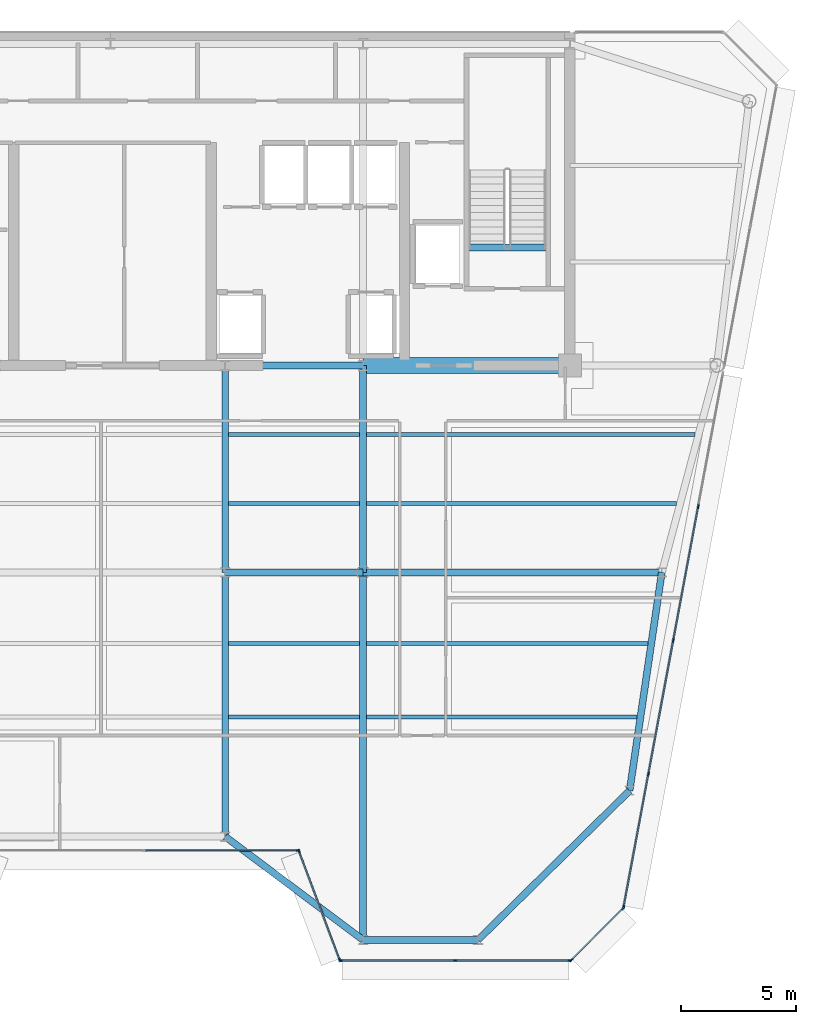
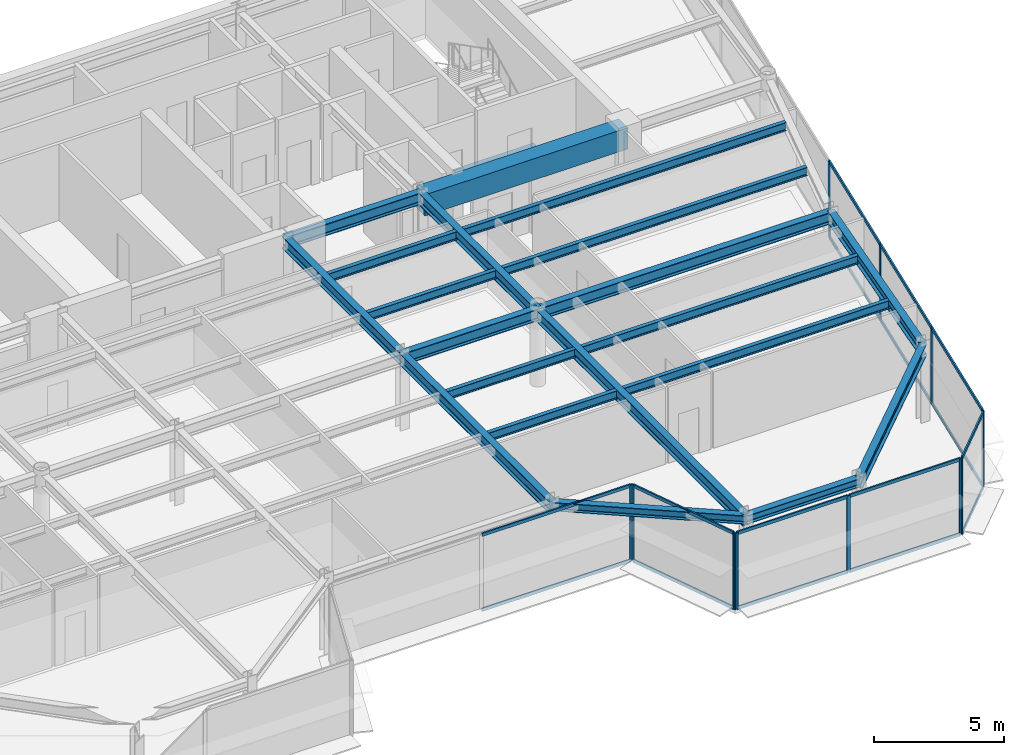
# One storey, part 5 of 19: 28 members, 21 beams, 5 elements without a shape of their own.
"""IFC4 building model written with IfcOpenShell, lengths in metres."""

from ifc_helpers import new_model, si_unit, direction, frame, origin, origin_2d, place, context, subcontext, project, spatial, rectangle, i_section, extrude, source, transform, mapped, material, layer, layer_set, material_profile, profile_set, type_object, element, aggregate, save


model = new_model("IFC4")

# Units and contexts
model_context = context("Model", 3, precision=1e-05, world=origin(), true_north=direction((0.0, 1.0)))
body_context = subcontext(model_context, "Body", "Model", "MODEL_VIEW")
ifc_project = project(units=[si_unit("LENGTHUNIT", "METRE"), si_unit("AREAUNIT", "SQUARE_METRE"), si_unit("VOLUMEUNIT", "CUBIC_METRE"), si_unit("PLANEANGLEUNIT", "RADIAN"), si_unit("MASSUNIT", "GRAM", prefix="KILO")], contexts=[model_context])

# Site, building, storey
site_placement = place(None, origin())
site = spatial("IfcSite", under=ifc_project, at=site_placement, CompositionType="ELEMENT")
building_placement = place(site_placement, origin())
building = spatial("IfcBuilding", under=site, at=building_placement, Name="Vaeldorn Concourse Tower", CompositionType="ELEMENT")
storey_placement = place(building_placement, frame((0.0, 0.0, 249.800048828125)))
storey = spatial("IfcBuildingStorey", under=building, at=storey_placement, Name="L64", CompositionType="ELEMENT", Elevation=249.800048828125)

# Beams
ifc_material_1 = material(Name="Concrete C50/60", Category="concrete")
ifc_material_profile_1 = material_profile(ifc_material_1, rectangle(XDim=0.699951171875, YDim=1.0, at=origin_2d()), Name="RC 700x1000")
ifc_profile_set_1 = profile_set([ifc_material_profile_1], Name="Concrete C50/60")
beam_type_1 = type_object("IfcBeamType", Name="BM-CB-RC700", PredefinedType="BEAM", material=ifc_profile_set_1)
shared_shape_1 = source(origin(), body_context, "Body", "SweptSolid", [
    extrude(rectangle(XDim=0.699951171875, YDim=1.0, at=origin_2d()), origin(), (0.0, 0.0, 1.0), 9.0),
])
beam_1_placement = place(storey_placement, frame((45.0, 36.5, 3.079833984375), z_axis=(1.0, 0.0, 0.0), x_axis=(0.0, 1.0, 0.0)))
element("IfcBeam", 1, at=beam_1_placement, inside=storey, type_object=beam_type_1, Name="Core Coupling Beam L64-2", PredefinedType="BEAM", context=body_context, shape_type="MappedRepresentation", body=[
    mapped(shared_shape_1, transform((0.0, 0.0, 0.0), scale=1.0)),
])
ifc_material_2 = material(Name="Steel S355", Category="steel")
ifc_material_profile_2 = material_profile(ifc_material_2, i_section(OverallWidth=0.300048828125, OverallDepth=0.340087890625, WebThickness=0.011962890625, FlangeThickness=0.021484375, FilletRadius=0.027099609375, at=origin_2d()), Name="HEB 340")
ifc_profile_set_2 = profile_set([ifc_material_profile_2], Name="Steel S355")
beam_type_2 = type_object("IfcBeamType", Name="BM-ST-TRIM", PredefinedType="BEAM", material=ifc_profile_set_2)
shared_shape_2 = source(origin(), body_context, "Body", "SweptSolid", [
    extrude(i_section(OverallWidth=0.300048828125, OverallDepth=0.340087890625, WebThickness=0.011962890625, FlangeThickness=0.021484375, FilletRadius=0.027099609375, at=origin_2d()), origin(), (0.0, 0.0, 1.0), 3.590087890625),
])
beam_2_placement = place(storey_placement, frame((49.47998046875, 41.639892578125, -0.39013671875), z_axis=(1.0, 0.0, 0.0), x_axis=(0.0, 1.0, 0.0)))
element("IfcBeam", 2, at=beam_2_placement, inside=storey, type_object=beam_type_2, Name="Stair Landing Trimmer Beam ST-2 L64", PredefinedType="BEAM", context=body_context, shape_type="MappedRepresentation", body=[
    mapped(shared_shape_2, transform((0.0, 0.0, 0.0), scale=1.0)),
])
ifc_material_profile_3 = material_profile(ifc_material_2, i_section(OverallWidth=0.300048828125, OverallDepth=0.39990234375, WebThickness=0.013427734375, FlangeThickness=0.02392578125, FilletRadius=0.027099609375, at=origin_2d()), Name="HEB 400")
ifc_profile_set_3 = profile_set([ifc_material_profile_3], Name="Steel S355")
beam_type_3 = type_object("IfcBeamType", Name="BM-SP-HEB400", PredefinedType="SPANDREL", material=ifc_profile_set_3)
shared_shape_3 = source(origin(), body_context, "Body", "SweptSolid", [
    extrude(i_section(OverallWidth=0.300048828125, OverallDepth=0.39990234375, WebThickness=0.013427734375, FlangeThickness=0.02392578125, FilletRadius=0.027099609375, at=origin_2d()), origin(), (0.0, 0.0, 1.0), 5.0),
])
beam_3_placement = place(storey_placement, frame((45.0, 11.5, 3.3798828125), z_axis=(1.0, 0.0, 0.0), x_axis=(0.0, 1.0, 0.0)))
element("IfcBeam", 3, at=beam_3_placement, inside=storey, type_object=beam_type_3, Name="Beam BM-L64-C-SF5-C-SF6", PredefinedType="SPANDREL", context=body_context, shape_type="MappedRepresentation", body=[
    mapped(shared_shape_3, transform((0.0, 0.0, 0.0), scale=1.0)),
])
shared_shape_4 = source(origin(), body_context, "Body", "SweptSolid", [
    extrude(i_section(OverallWidth=0.300048828125, OverallDepth=0.39990234375, WebThickness=0.013427734375, FlangeThickness=0.02392578125, FilletRadius=0.027099609375, at=origin_2d()), origin(), (0.0, 0.0, 1.0), 7.5),
])
beam_4_placement = place(storey_placement, frame((39.0, 16.0, 3.3798828125), z_axis=(0.8, -0.6, 0.0), x_axis=(0.6, 0.8, 0.0)))
element("IfcBeam", 4, at=beam_4_placement, inside=storey, type_object=beam_type_3, Name="Beam BM-L64-C-SF4-C-SF5", PredefinedType="SPANDREL", context=body_context, shape_type="MappedRepresentation", body=[
    mapped(shared_shape_4, transform((0.0, 0.0, 0.0), scale=1.0)),
])
ifc_material_profile_4 = material_profile(ifc_material_2, i_section(OverallWidth=0.179931640625, OverallDepth=0.39990234375, WebThickness=0.008544921875, FlangeThickness=0.013427734375, FilletRadius=0.02099609375, at=origin_2d()), Name="IPE 400")
ifc_profile_set_4 = profile_set([ifc_material_profile_4], Name="Steel S355")
beam_type_4 = type_object("IfcBeamType", Name="BM-JS-IPE400", PredefinedType="JOIST", material=ifc_profile_set_4)
shared_shape_5 = source(origin(), body_context, "Body", "SweptSolid", [
    extrude(i_section(OverallWidth=0.179931640625, OverallDepth=0.39990234375, WebThickness=0.008544921875, FlangeThickness=0.013427734375, FilletRadius=0.02099609375, at=origin_2d()), origin(), (0.0, 0.0, 1.0), 5.7001953125),
])
for number, where, z_axis, x_axis, name in (
    (5, (39.14990234375, 21.199951171875, 3.3798828125), (1.0, 0.0, 0.0), (0.0, 1.0, 0.0), "Beam JS-L64-E2-212"),
    (6, (39.14990234375, 24.39990234375, 3.3798828125), (1.0, 0.0, 0.0), (0.0, 1.0, 0.0), "Beam JS-L64-E2-244"),
    (7, (39.14990234375, 30.5, 3.3798828125), (1.0, 0.0, 0.0), (0.0, 1.0, 0.0), "Beam JS-L64-E2-305"),
    (8, (39.14990234375, 33.5, 3.3798828125), (1.0, 0.0, 0.0), (0.0, 1.0, 0.0), "Beam JS-L64-E2-335"),
):
    element("IfcBeam", number, at=place(storey_placement, frame(where, z_axis=z_axis, x_axis=x_axis)), inside=storey, type_object=beam_type_4, Name=name, PredefinedType="JOIST", context=body_context, shape_type="MappedRepresentation", body=[
        mapped(shared_shape_5, transform((0.0, 0.0, 0.0), scale=1.0)),
    ])
shared_shape_6 = source(origin(), body_context, "Body", "SweptSolid", [
    extrude(i_section(OverallWidth=0.179931640625, OverallDepth=0.39990234375, WebThickness=0.008544921875, FlangeThickness=0.013427734375, FilletRadius=0.02099609375, at=origin_2d()), origin(), (0.0, 0.0, 1.0), 11.771728515625),
])
beam_5_placement = place(storey_placement, frame((45.14990234375, 21.199951171875, 3.3798828125), z_axis=(1.0, 0.0, 0.0), x_axis=(0.0, 1.0, 0.0)))
element("IfcBeam", 9, at=beam_5_placement, inside=storey, type_object=beam_type_4, Name="Beam JS-L64-E1-212", PredefinedType="JOIST", context=body_context, shape_type="MappedRepresentation", body=[
    mapped(shared_shape_6, transform((0.0, 0.0, 0.0), scale=1.0)),
])
shared_shape_7 = source(origin(), body_context, "Body", "SweptSolid", [
    extrude(i_section(OverallWidth=0.179931640625, OverallDepth=0.39990234375, WebThickness=0.008544921875, FlangeThickness=0.013427734375, FilletRadius=0.02099609375, at=origin_2d()), origin(), (0.0, 0.0, 1.0), 12.243408203125),
])
beam_6_placement = place(storey_placement, frame((45.14990234375, 24.39990234375, 3.3798828125), z_axis=(1.0, 0.0, 0.0), x_axis=(0.0, 1.0, 0.0)))
element("IfcBeam", 10, at=beam_6_placement, inside=storey, type_object=beam_type_4, Name="Beam JS-L64-E1-244", PredefinedType="JOIST", context=body_context, shape_type="MappedRepresentation", body=[
    mapped(shared_shape_7, transform((0.0, 0.0, 0.0), scale=1.0)),
])
shared_shape_8 = source(origin(), body_context, "Body", "SweptSolid", [
    extrude(i_section(OverallWidth=0.179931640625, OverallDepth=0.39990234375, WebThickness=0.008544921875, FlangeThickness=0.013427734375, FilletRadius=0.02099609375, at=origin_2d()), origin(), (0.0, 0.0, 1.0), 13.5),
])
beam_7_placement = place(storey_placement, frame((45.14990234375, 30.5, 3.3798828125), z_axis=(1.0, 0.0, 0.0), x_axis=(0.0, 1.0, 0.0)))
element("IfcBeam", 11, at=beam_7_placement, inside=storey, type_object=beam_type_4, Name="Beam JS-L64-E1-305", PredefinedType="JOIST", context=body_context, shape_type="MappedRepresentation", body=[
    mapped(shared_shape_8, transform((0.0, 0.0, 0.0), scale=1.0)),
])
shared_shape_9 = source(origin(), body_context, "Body", "SweptSolid", [
    extrude(i_section(OverallWidth=0.179931640625, OverallDepth=0.39990234375, WebThickness=0.008544921875, FlangeThickness=0.013427734375, FilletRadius=0.02099609375, at=origin_2d()), origin(), (0.0, 0.0, 1.0), 14.300048828125),
])
beam_8_placement = place(storey_placement, frame((45.14990234375, 33.5, 3.3798828125), z_axis=(1.0, 0.0, 0.0), x_axis=(0.0, 1.0, 0.0)))
element("IfcBeam", 12, at=beam_8_placement, inside=storey, type_object=beam_type_4, Name="Beam JS-L64-E1-335", PredefinedType="JOIST", context=body_context, shape_type="MappedRepresentation", body=[
    mapped(shared_shape_9, transform((0.0, 0.0, 0.0), scale=1.0)),
])
ifc_material_profile_5 = material_profile(ifc_material_2, i_section(OverallWidth=0.300048828125, OverallDepth=0.550048828125, WebThickness=0.014892578125, FlangeThickness=0.029052734375, FilletRadius=0.027099609375, at=origin_2d()), Name="HEB 550")
ifc_profile_set_5 = profile_set([ifc_material_profile_5], Name="Steel S355")
beam_type_5 = type_object("IfcBeamType", Name="BM-PG-HEB550", PredefinedType="BEAM", material=ifc_profile_set_5)
shared_shape_10 = source(origin(), body_context, "Body", "SweptSolid", [
    extrude(i_section(OverallWidth=0.300048828125, OverallDepth=0.550048828125, WebThickness=0.014892578125, FlangeThickness=0.029052734375, FilletRadius=0.027099609375, at=origin_2d()), origin(), (0.0, 0.0, 1.0), 6.0),
])
for number, where, z_axis, x_axis, name in (
    (13, (39.0, 36.5, 3.304931640625), (1.0, 0.0, 0.0), (0.0, 1.0, 0.0), "Beam BM-L64-C-FC4-C-FC5"),
    (14, (39.0, 27.5, 3.304931640625), (1.0, 0.0, 0.0), (0.0, 1.0, 0.0), "Beam BM-L64-C-TW3-C-TW4"),
):
    element("IfcBeam", number, at=place(storey_placement, frame(where, z_axis=z_axis, x_axis=x_axis)), inside=storey, type_object=beam_type_5, Name=name, PredefinedType="BEAM", context=body_context, shape_type="MappedRepresentation", body=[
        mapped(shared_shape_10, transform((0.0, 0.0, 0.0), scale=1.0)),
    ])
shared_shape_11 = source(origin(), body_context, "Body", "SweptSolid", [
    extrude(i_section(OverallWidth=0.300048828125, OverallDepth=0.550048828125, WebThickness=0.014892578125, FlangeThickness=0.029052734375, FilletRadius=0.027099609375, at=origin_2d()), origin(), (0.0, 0.0, 1.0), 9.0),
])
for number, where, z_axis, x_axis, name in (
    (15, (39.0, 27.5, 3.304931640625), (0.0, 1.0, 0.0), (-1.0, 0.0, 0.0), "Beam BM-L64-C-TW3-C-FC4"),
    (16, (45.0, 27.5, 3.304931640625), (0.0, 1.0, 0.0), (-1.0, 0.0, 0.0), "Beam BM-L64-C-TW4-C-FC5"),
):
    element("IfcBeam", number, at=place(storey_placement, frame(where, z_axis=z_axis, x_axis=x_axis)), inside=storey, type_object=beam_type_5, Name=name, PredefinedType="BEAM", context=body_context, shape_type="MappedRepresentation", body=[
        mapped(shared_shape_11, transform((0.0, 0.0, 0.0), scale=1.0)),
    ])
shared_shape_12 = source(origin(), body_context, "Body", "SweptSolid", [
    extrude(i_section(OverallWidth=0.300048828125, OverallDepth=0.550048828125, WebThickness=0.014892578125, FlangeThickness=0.029052734375, FilletRadius=0.027099609375, at=origin_2d()), origin(), (0.0, 0.0, 1.0), 13.0),
])
beam_9_placement = place(storey_placement, frame((45.0, 27.5, 3.304931640625), z_axis=(1.0, 0.0, 0.0), x_axis=(0.0, 1.0, 0.0)))
element("IfcBeam", 17, at=beam_9_placement, inside=storey, type_object=beam_type_5, Name="Beam BM-L64-C-TW4-C-FLE1", PredefinedType="BEAM", context=body_context, shape_type="MappedRepresentation", body=[
    mapped(shared_shape_12, transform((0.0, 0.0, 0.0), scale=1.0)),
])
shared_shape_13 = source(origin(), body_context, "Body", "SweptSolid", [
    extrude(i_section(OverallWidth=0.300048828125, OverallDepth=0.550048828125, WebThickness=0.014892578125, FlangeThickness=0.029052734375, FilletRadius=0.027099609375, at=origin_2d()), origin(), (0.0, 0.0, 1.0), 9.6025390625),
])
beam_10_placement = place(storey_placement, frame((58.0, 27.5, 3.304931640625), z_axis=(-0.145783835977, -0.989316467652, 0.0), x_axis=(0.989316467652, -0.145783835977, 0.0)))
element("IfcBeam", 18, at=beam_10_placement, inside=storey, type_object=beam_type_5, Name="Beam BM-L64-C-FLE1-C-FLE2", PredefinedType="BEAM", context=body_context, shape_type="MappedRepresentation", body=[
    mapped(shared_shape_13, transform((0.0, 0.0, 0.0), scale=1.0)),
])
shared_shape_14 = source(origin(), body_context, "Body", "SweptSolid", [
    extrude(i_section(OverallWidth=0.300048828125, OverallDepth=0.550048828125, WebThickness=0.014892578125, FlangeThickness=0.029052734375, FilletRadius=0.027099609375, at=origin_2d()), origin(), (0.0, 0.0, 1.0), 9.263427734375),
])
beam_11_placement = place(storey_placement, frame((50.0, 11.5, 3.304931640625), z_axis=(0.71248897494, 0.701683305053, 0.0), x_axis=(-0.701683305053, 0.71248897494, 0.0)))
element("IfcBeam", 19, at=beam_11_placement, inside=storey, type_object=beam_type_5, Name="Beam BM-L64-C-SF6-C-FLE2", PredefinedType="BEAM", context=body_context, shape_type="MappedRepresentation", body=[
    mapped(shared_shape_14, transform((0.0, 0.0, 0.0), scale=1.0)),
])
shared_shape_15 = source(origin(), body_context, "Body", "SweptSolid", [
    extrude(i_section(OverallWidth=0.300048828125, OverallDepth=0.550048828125, WebThickness=0.014892578125, FlangeThickness=0.029052734375, FilletRadius=0.027099609375, at=origin_2d()), origin(), (0.0, 0.0, 1.0), 16.0),
])
beam_12_placement = place(storey_placement, frame((45.0, 11.5, 3.304931640625), z_axis=(0.0, 1.0, 0.0), x_axis=(-1.0, 0.0, 0.0)))
element("IfcBeam", 20, at=beam_12_placement, inside=storey, type_object=beam_type_5, Name="Beam BM-L64-C-SF5-C-TW4", PredefinedType="BEAM", context=body_context, shape_type="MappedRepresentation", body=[
    mapped(shared_shape_15, transform((0.0, 0.0, 0.0), scale=1.0)),
])
shared_shape_16 = source(origin(), body_context, "Body", "SweptSolid", [
    extrude(i_section(OverallWidth=0.300048828125, OverallDepth=0.550048828125, WebThickness=0.014892578125, FlangeThickness=0.029052734375, FilletRadius=0.027099609375, at=origin_2d()), origin(), (0.0, 0.0, 1.0), 11.5),
])
beam_13_placement = place(storey_placement, frame((39.0, 16.0, 3.304931640625), z_axis=(0.0, 1.0, 0.0), x_axis=(-1.0, 0.0, 0.0)))
element("IfcBeam", 21, at=beam_13_placement, inside=storey, type_object=beam_type_5, Name="Beam BM-L64-C-SF4-C-TW3", PredefinedType="BEAM", context=body_context, shape_type="MappedRepresentation", body=[
    mapped(shared_shape_16, transform((0.0, 0.0, 0.0), scale=1.0)),
])

# Curtain wall, member
ifc_material_3 = material(Name="Anodised Bronze Aluminium", Category="aluminium")
ifc_layer = layer(ifc_material_3, 0.179931640625)
ifc_layer_set = layer_set([ifc_layer], Name="Anodised Bronze Aluminium")
curtain_wall_type = type_object("IfcCurtainWallType", Name="CW-SYS-05", PredefinedType="NOTDEFINED", material=ifc_layer_set)
curtain_wall_1_placement = place(storey_placement, origin())
curtain_wall_1 = element("IfcCurtainWall", 22, at=curtain_wall_1_placement, inside=storey, type_object=curtain_wall_type, Name="Unitised Curtain Wall CW-L64-E03-1", PredefinedType="NOTDEFINED")
ifc_material_profile_6 = material_profile(ifc_material_3, rectangle(XDim=0.06494140625, YDim=0.169921875, at=origin_2d()), Name="CWM 65x170")
ifc_profile_set_6 = profile_set([ifc_material_profile_6], Name="Anodised Bronze Aluminium")
member_type_1 = type_object("IfcMemberType", Name="CWM-BRONZE-170", PredefinedType="MULLION", material=ifc_profile_set_6)
shared_shape_17 = source(origin(), body_context, "Body", "SweptSolid", [
    extrude(rectangle(XDim=0.06494140625, YDim=0.169921875, at=origin_2d()), origin(), (0.0, 0.0, 1.0), 3.579833984375),
])
member_1_placement = place(storey_placement, frame((42.16748046875, 15.39990234375, 0.0), z_axis=(0.0, 0.0, 1.0), x_axis=(0.0, 1.0, 0.0)))
member_1 = element("IfcMember", 23, at=member_1_placement, type_object=member_type_1, Name="CW-05 mullion 3", PredefinedType="MULLION", context=body_context, shape_type="MappedRepresentation", body=[
    mapped(shared_shape_17, transform((0.0, 0.0, 0.0), scale=1.0)),
])

# Curtain wall, members
curtain_wall_2_placement = place(storey_placement, origin())
curtain_wall_2 = element("IfcCurtainWall", 24, at=curtain_wall_2_placement, inside=storey, type_object=curtain_wall_type, Name="Unitised Curtain Wall CW-L64-E04-1", PredefinedType="NOTDEFINED")
member_2_placement = place(storey_placement, frame((42.21142578125, 15.36962890625, 0.0), z_axis=(0.0, 0.0, 1.0), x_axis=(0.936329177566, 0.351123441595, 0.0)))
member_2 = element("IfcMember", 25, at=member_2_placement, type_object=member_type_1, Name="CW-05 mullion 1", PredefinedType="MULLION", context=body_context, shape_type="MappedRepresentation", body=[
    mapped(shared_shape_17, transform((0.0, 0.0, 0.0), scale=1.0)),
])
member_3_placement = place(storey_placement, frame((43.988525390625, 10.63037109375, 0.0), z_axis=(0.0, 0.0, 1.0), x_axis=(0.936329177566, 0.351123441595, 0.0)))
member_3 = element("IfcMember", 26, at=member_3_placement, type_object=member_type_1, Name="CW-05 mullion 2", PredefinedType="MULLION", context=body_context, shape_type="MappedRepresentation", body=[
    mapped(shared_shape_17, transform((0.0, 0.0, 0.0), scale=1.0)),
])

curtain_wall_3_placement = place(storey_placement, origin())
curtain_wall_3 = element("IfcCurtainWall", 27, at=curtain_wall_3_placement, inside=storey, type_object=curtain_wall_type, Name="Unitised Curtain Wall CW-L64-E05-1", PredefinedType="NOTDEFINED")
member_4_placement = place(storey_placement, frame((44.032470703125, 10.60009765625, 0.0), z_axis=(0.0, 0.0, 1.0), x_axis=(0.0, 1.0, 0.0)))
member_4 = element("IfcMember", 28, at=member_4_placement, type_object=member_type_1, Name="CW-05 mullion 1", PredefinedType="MULLION", context=body_context, shape_type="MappedRepresentation", body=[
    mapped(shared_shape_17, transform((0.0, 0.0, 0.0), scale=1.0)),
])
member_5_placement = place(storey_placement, frame((49.01708984375, 10.60009765625, 0.0), z_axis=(0.0, 0.0, 1.0), x_axis=(0.0, 1.0, 0.0)))
member_5 = element("IfcMember", 29, at=member_5_placement, type_object=member_type_1, Name="CW-05 mullion 2", PredefinedType="MULLION", context=body_context, shape_type="MappedRepresentation", body=[
    mapped(shared_shape_17, transform((0.0, 0.0, 0.0), scale=1.0)),
])
member_6_placement = place(storey_placement, frame((54.00146484375, 10.60009765625, 0.0), z_axis=(0.0, 0.0, 1.0), x_axis=(0.0, 1.0, 0.0)))
member_6 = element("IfcMember", 30, at=member_6_placement, type_object=member_type_1, Name="CW-05 mullion 3", PredefinedType="MULLION", context=body_context, shape_type="MappedRepresentation", body=[
    mapped(shared_shape_17, transform((0.0, 0.0, 0.0), scale=1.0)),
])

curtain_wall_4_placement = place(storey_placement, origin())
curtain_wall_4 = element("IfcCurtainWall", 31, at=curtain_wall_4_placement, inside=storey, type_object=curtain_wall_type, Name="Unitised Curtain Wall CW-L64-E06-1", PredefinedType="NOTDEFINED")
member_7_placement = place(storey_placement, frame((54.056884765625, 10.623046875, 0.0), z_axis=(0.0, 0.0, 1.0), x_axis=(-0.707106781187, 0.707106781187, 0.0)))
member_7 = element("IfcMember", 32, at=member_7_placement, type_object=member_type_1, Name="CW-05 mullion 1", PredefinedType="MULLION", context=body_context, shape_type="MappedRepresentation", body=[
    mapped(shared_shape_17, transform((0.0, 0.0, 0.0), scale=1.0)),
])
member_8_placement = place(storey_placement, frame((56.31103515625, 12.876953125, 0.0), z_axis=(0.0, 0.0, 1.0), x_axis=(-0.707106781187, 0.707106781187, 0.0)))
member_8 = element("IfcMember", 33, at=member_8_placement, type_object=member_type_1, Name="CW-05 mullion 2", PredefinedType="MULLION", context=body_context, shape_type="MappedRepresentation", body=[
    mapped(shared_shape_17, transform((0.0, 0.0, 0.0), scale=1.0)),
])

curtain_wall_5_placement = place(storey_placement, origin())
curtain_wall_5 = element("IfcCurtainWall", 34, at=curtain_wall_5_placement, inside=storey, type_object=curtain_wall_type, Name="Unitised Curtain Wall CW-L64-E07-1", PredefinedType="NOTDEFINED")
member_9_placement = place(storey_placement, frame((56.33984375, 12.931884765625, 0.0), z_axis=(0.0, 0.0, 1.0), x_axis=(-0.983102653673, 0.18305510739, 0.0)))
member_9 = element("IfcMember", 35, at=member_9_placement, type_object=member_type_1, Name="CW-05 mullion 1", PredefinedType="MULLION", context=body_context, shape_type="MappedRepresentation", body=[
    mapped(shared_shape_17, transform((0.0, 0.0, 0.0), scale=1.0)),
])
member_10_placement = place(storey_placement, frame((57.41796875, 18.72119140625, 0.0), z_axis=(0.0, 0.0, 1.0), x_axis=(-0.983102653673, 0.18305510739, 0.0)))
member_10 = element("IfcMember", 36, at=member_10_placement, type_object=member_type_1, Name="CW-05 mullion 2", PredefinedType="MULLION", context=body_context, shape_type="MappedRepresentation", body=[
    mapped(shared_shape_17, transform((0.0, 0.0, 0.0), scale=1.0)),
])
member_11_placement = place(storey_placement, frame((58.501953125, 24.54248046875, 0.0), z_axis=(0.0, 0.0, 1.0), x_axis=(-0.983102653673, 0.18305510739, 0.0)))
member_11 = element("IfcMember", 37, at=member_11_placement, type_object=member_type_1, Name="CW-05 mullion 3", PredefinedType="MULLION", context=body_context, shape_type="MappedRepresentation", body=[
    mapped(shared_shape_17, transform((0.0, 0.0, 0.0), scale=1.0)),
])
member_12_placement = place(storey_placement, frame((59.585693359375, 30.36376953125, 0.0), z_axis=(0.0, 0.0, 1.0), x_axis=(-0.983102653673, 0.18305510739, 0.0)))
member_12 = element("IfcMember", 38, at=member_12_placement, type_object=member_type_1, Name="CW-05 mullion 4", PredefinedType="MULLION", context=body_context, shape_type="MappedRepresentation", body=[
    mapped(shared_shape_17, transform((0.0, 0.0, 0.0), scale=1.0)),
])

# Member
ifc_material_profile_7 = material_profile(ifc_material_3, rectangle(XDim=0.06494140625, YDim=0.14990234375, at=origin_2d()), Name="CWT 65x150")
ifc_profile_set_7 = profile_set([ifc_material_profile_7], Name="Anodised Bronze Aluminium")
member_type_2 = type_object("IfcMemberType", Name="CWT-BRONZE-150", PredefinedType="USERDEFINED", material=ifc_profile_set_7)
shared_shape_18 = source(origin(), body_context, "Body", "SweptSolid", [
    extrude(rectangle(XDim=0.06494140625, YDim=0.14990234375, at=origin_2d()), origin(), (0.0, 0.0, 1.0), 4.996337890625),
])
member_13_placement = place(storey_placement, frame((42.222900390625, 15.339111328125, 0.032470703125), z_axis=(0.351134151405, -0.936325161318, 0.0), x_axis=(0.936325161318, 0.351134151405, 0.0)))
member_13 = element("IfcMember", 39, at=member_13_placement, type_object=member_type_2, Name="CW-05 transom 1.1", ObjectType="TRANSOM", PredefinedType="USERDEFINED", context=body_context, shape_type="MappedRepresentation", body=[
    mapped(shared_shape_18, transform((0.0, 0.0, 0.0), scale=1.0)),
])

member_14_placement = place(storey_placement, frame((42.222900390625, 15.339111328125, 3.54736328125), z_axis=(0.351134151405, -0.936325161318, 0.0), x_axis=(0.936325161318, 0.351134151405, 0.0)))
member_14 = element("IfcMember", 40, at=member_14_placement, type_object=member_type_2, Name="CW-05 transom 1.2", ObjectType="TRANSOM", PredefinedType="USERDEFINED", context=body_context, shape_type="MappedRepresentation", body=[
    mapped(shared_shape_18, transform((0.0, 0.0, 0.0), scale=1.0)),
])

aggregate(curtain_wall_2, [member_2, member_3, member_13, member_14])

shared_shape_19 = source(origin(), body_context, "Body", "SweptSolid", [
    extrude(rectangle(XDim=0.06494140625, YDim=0.14990234375, at=origin_2d()), origin(), (0.0, 0.0, 1.0), 6.6025390625),
])
member_15_placement = place(storey_placement, frame((35.532470703125, 15.39990234375, 0.032470703125), z_axis=(1.0, 0.0, 0.0), x_axis=(0.0, 1.0, 0.0)))
member_15 = element("IfcMember", 41, at=member_15_placement, type_object=member_type_2, Name="CW-05 transom 2.1", ObjectType="TRANSOM", PredefinedType="USERDEFINED", context=body_context, shape_type="MappedRepresentation", body=[
    mapped(shared_shape_19, transform((0.0, 0.0, 0.0), scale=1.0)),
])

member_16_placement = place(storey_placement, frame((35.532470703125, 15.39990234375, 3.54736328125), z_axis=(1.0, 0.0, 0.0), x_axis=(0.0, 1.0, 0.0)))
member_16 = element("IfcMember", 42, at=member_16_placement, type_object=member_type_2, Name="CW-05 transom 2.2", ObjectType="TRANSOM", PredefinedType="USERDEFINED", context=body_context, shape_type="MappedRepresentation", body=[
    mapped(shared_shape_19, transform((0.0, 0.0, 0.0), scale=1.0)),
])

aggregate(curtain_wall_1, [member_1, member_15, member_16])

shared_shape_20 = source(origin(), body_context, "Body", "SweptSolid", [
    extrude(rectangle(XDim=0.06494140625, YDim=0.14990234375, at=origin_2d()), origin(), (0.0, 0.0, 1.0), 3.12255859375),
])
member_17_placement = place(storey_placement, frame((54.080078125, 10.64599609375, 0.032470703125), z_axis=(0.707106781187, 0.707106781187, 0.0), x_axis=(-0.707106781187, 0.707106781187, 0.0)))
member_17 = element("IfcMember", 43, at=member_17_placement, type_object=member_type_2, Name="CW-05 transom 1.1", ObjectType="TRANSOM", PredefinedType="USERDEFINED", context=body_context, shape_type="MappedRepresentation", body=[
    mapped(shared_shape_20, transform((0.0, 0.0, 0.0), scale=1.0)),
])

member_18_placement = place(storey_placement, frame((54.080078125, 10.64599609375, 3.54736328125), z_axis=(0.707106781187, 0.707106781187, 0.0), x_axis=(-0.707106781187, 0.707106781187, 0.0)))
member_18 = element("IfcMember", 44, at=member_18_placement, type_object=member_type_2, Name="CW-05 transom 1.2", ObjectType="TRANSOM", PredefinedType="USERDEFINED", context=body_context, shape_type="MappedRepresentation", body=[
    mapped(shared_shape_20, transform((0.0, 0.0, 0.0), scale=1.0)),
])

aggregate(curtain_wall_4, [member_7, member_8, member_17, member_18])

shared_shape_21 = source(origin(), body_context, "Body", "SweptSolid", [
    extrude(rectangle(XDim=0.06494140625, YDim=0.14990234375, at=origin_2d()), origin(), (0.0, 0.0, 1.0), 5.82373046875),
])
member_19_placement = place(storey_placement, frame((56.345947265625, 12.9638671875, 0.032470703125), z_axis=(0.183030414843, 0.983107251139, 0.0), x_axis=(-0.983107251139, 0.183030414843, 0.0)))
member_19 = element("IfcMember", 45, at=member_19_placement, type_object=member_type_2, Name="CW-05 transom 1.1", ObjectType="TRANSOM", PredefinedType="USERDEFINED", context=body_context, shape_type="MappedRepresentation", body=[
    mapped(shared_shape_21, transform((0.0, 0.0, 0.0), scale=1.0)),
])

member_20_placement = place(storey_placement, frame((56.345947265625, 12.9638671875, 3.54736328125), z_axis=(0.183030414843, 0.983107251139, 0.0), x_axis=(-0.983107251139, 0.183030414843, 0.0)))
member_20 = element("IfcMember", 46, at=member_20_placement, type_object=member_type_2, Name="CW-05 transom 1.2", ObjectType="TRANSOM", PredefinedType="USERDEFINED", context=body_context, shape_type="MappedRepresentation", body=[
    mapped(shared_shape_21, transform((0.0, 0.0, 0.0), scale=1.0)),
])

shared_shape_22 = source(origin(), body_context, "Body", "SweptSolid", [
    extrude(rectangle(XDim=0.06494140625, YDim=0.14990234375, at=origin_2d()), origin(), (0.0, 0.0, 1.0), 5.856201171875),
])
member_21_placement = place(storey_placement, frame((57.423828125, 18.753173828125, 0.032470703125), z_axis=(0.18305503402, 0.983102667334, 0.0), x_axis=(-0.983102667334, 0.18305503402, 0.0)))
member_21 = element("IfcMember", 47, at=member_21_placement, type_object=member_type_2, Name="CW-05 transom 2.1", ObjectType="TRANSOM", PredefinedType="USERDEFINED", context=body_context, shape_type="MappedRepresentation", body=[
    mapped(shared_shape_22, transform((0.0, 0.0, 0.0), scale=1.0)),
])

member_22_placement = place(storey_placement, frame((57.423828125, 18.753173828125, 3.54736328125), z_axis=(0.18305503402, 0.983102667334, 0.0), x_axis=(-0.983102667334, 0.18305503402, 0.0)))
member_22 = element("IfcMember", 48, at=member_22_placement, type_object=member_type_2, Name="CW-05 transom 2.2", ObjectType="TRANSOM", PredefinedType="USERDEFINED", context=body_context, shape_type="MappedRepresentation", body=[
    mapped(shared_shape_22, transform((0.0, 0.0, 0.0), scale=1.0)),
])

member_23_placement = place(storey_placement, frame((58.5078125, 24.574462890625, 0.032470703125), z_axis=(0.18305503402, 0.983102667334, 0.0), x_axis=(-0.983102667334, 0.18305503402, 0.0)))
member_23 = element("IfcMember", 49, at=member_23_placement, type_object=member_type_2, Name="CW-05 transom 3.1", ObjectType="TRANSOM", PredefinedType="USERDEFINED", context=body_context, shape_type="MappedRepresentation", body=[
    mapped(shared_shape_22, transform((0.0, 0.0, 0.0), scale=1.0)),
])

member_24_placement = place(storey_placement, frame((58.5078125, 24.574462890625, 3.54736328125), z_axis=(0.18305503402, 0.983102667334, 0.0), x_axis=(-0.983102667334, 0.18305503402, 0.0)))
member_24 = element("IfcMember", 50, at=member_24_placement, type_object=member_type_2, Name="CW-05 transom 3.2", ObjectType="TRANSOM", PredefinedType="USERDEFINED", context=body_context, shape_type="MappedRepresentation", body=[
    mapped(shared_shape_22, transform((0.0, 0.0, 0.0), scale=1.0)),
])

aggregate(curtain_wall_5, [member_9, member_10, member_11, member_12, member_19, member_20, member_21, member_22, member_23, member_24])

shared_shape_23 = source(origin(), body_context, "Body", "SweptSolid", [
    extrude(rectangle(XDim=0.06494140625, YDim=0.14990234375, at=origin_2d()), origin(), (0.0, 0.0, 1.0), 4.919677734375),
])
member_25_placement = place(storey_placement, frame((44.06494140625, 10.60009765625, 0.032470703125), z_axis=(1.0, 0.0, 0.0), x_axis=(0.0, 1.0, 0.0)))
member_25 = element("IfcMember", 51, at=member_25_placement, type_object=member_type_2, Name="CW-05 transom 1.1", ObjectType="TRANSOM", PredefinedType="USERDEFINED", context=body_context, shape_type="MappedRepresentation", body=[
    mapped(shared_shape_23, transform((0.0, 0.0, 0.0), scale=1.0)),
])

member_26_placement = place(storey_placement, frame((44.06494140625, 10.60009765625, 3.54736328125), z_axis=(1.0, 0.0, 0.0), x_axis=(0.0, 1.0, 0.0)))
member_26 = element("IfcMember", 52, at=member_26_placement, type_object=member_type_2, Name="CW-05 transom 1.2", ObjectType="TRANSOM", PredefinedType="USERDEFINED", context=body_context, shape_type="MappedRepresentation", body=[
    mapped(shared_shape_23, transform((0.0, 0.0, 0.0), scale=1.0)),
])

shared_shape_24 = source(origin(), body_context, "Body", "SweptSolid", [
    extrude(rectangle(XDim=0.06494140625, YDim=0.14990234375, at=origin_2d()), origin(), (0.0, 0.0, 1.0), 4.91943359375),
])
member_27_placement = place(storey_placement, frame((49.049560546875, 10.60009765625, 0.032470703125), z_axis=(1.0, 0.0, 0.0), x_axis=(0.0, 1.0, 0.0)))
member_27 = element("IfcMember", 53, at=member_27_placement, type_object=member_type_2, Name="CW-05 transom 2.1", ObjectType="TRANSOM", PredefinedType="USERDEFINED", context=body_context, shape_type="MappedRepresentation", body=[
    mapped(shared_shape_24, transform((0.0, 0.0, 0.0), scale=1.0)),
])

member_28_placement = place(storey_placement, frame((49.049560546875, 10.60009765625, 3.54736328125), z_axis=(1.0, 0.0, 0.0), x_axis=(0.0, 1.0, 0.0)))
member_28 = element("IfcMember", 54, at=member_28_placement, type_object=member_type_2, Name="CW-05 transom 2.2", ObjectType="TRANSOM", PredefinedType="USERDEFINED", context=body_context, shape_type="MappedRepresentation", body=[
    mapped(shared_shape_24, transform((0.0, 0.0, 0.0), scale=1.0)),
])

aggregate(curtain_wall_3, [member_4, member_5, member_6, member_25, member_26, member_27, member_28])

save(model, "model.ifc")
